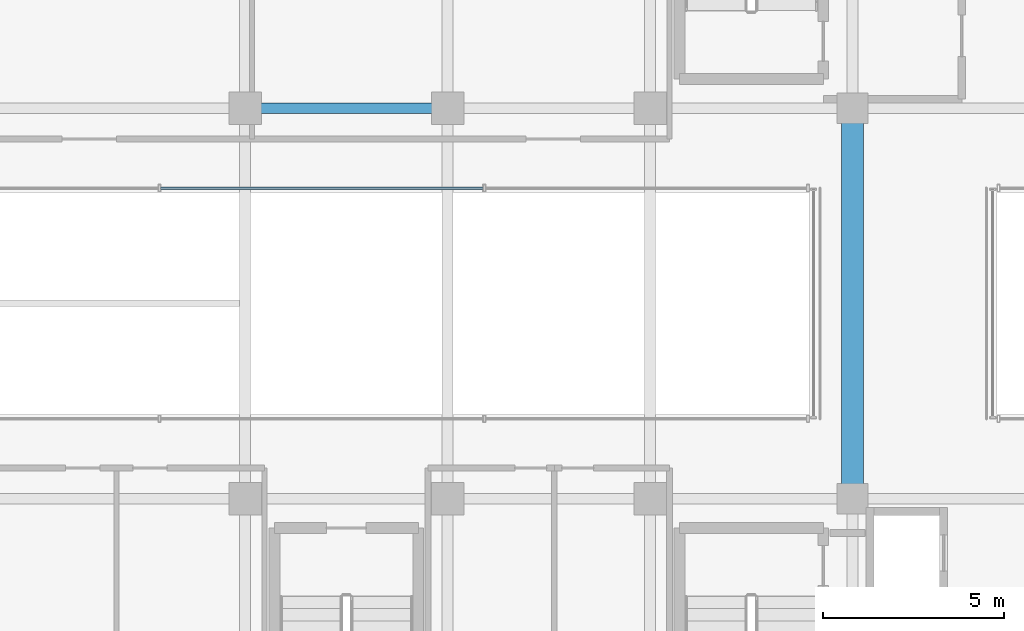
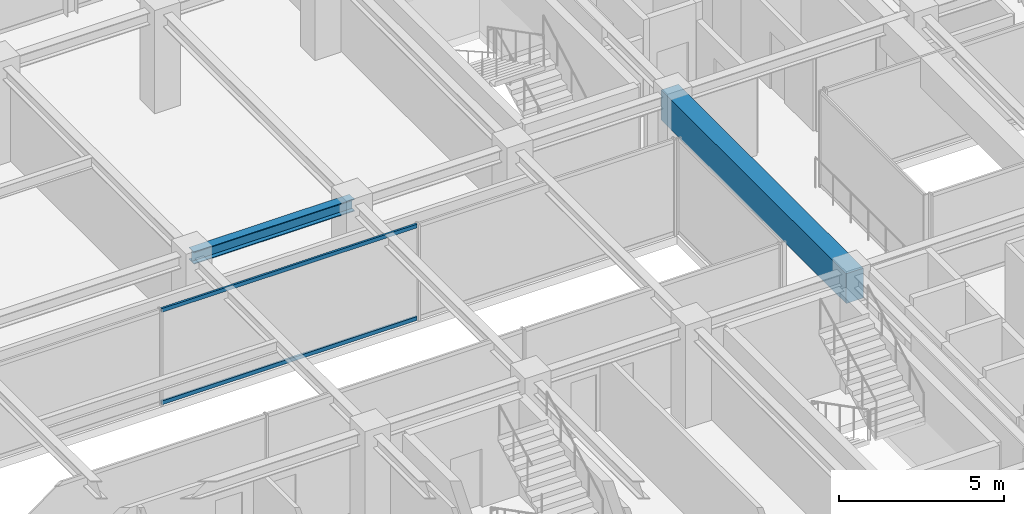
# One storey, part 15 of 39: 2 beams, 2 members, 1 element without a shape of its own.
"""IFC4 building model written with IfcOpenShell, lengths in metres."""

from ifc_helpers import new_model, si_unit, direction, frame, origin, origin_2d, place, context, subcontext, project, spatial, rectangle, hollow_rectangle, i_section, extrude, source, transform, mapped, material, material_profile, profile_set, type_object, element, aggregate, save


model = new_model("IFC4")

# Units and contexts
model_context = context("Model", 3, precision=1e-05, world=origin(), true_north=direction((0.0, 1.0)))
body_context = subcontext(model_context, "Body", "Model", "MODEL_VIEW")
ifc_project = project(units=[si_unit("LENGTHUNIT", "METRE"), si_unit("AREAUNIT", "SQUARE_METRE"), si_unit("VOLUMEUNIT", "CUBIC_METRE"), si_unit("PLANEANGLEUNIT", "RADIAN"), si_unit("MASSUNIT", "GRAM", prefix="KILO")], contexts=[model_context])

# Site, building, storey
site_placement = place(None, origin())
site = spatial("IfcSite", under=ifc_project, at=site_placement, CompositionType="ELEMENT")
building_placement = place(site_placement, origin())
building = spatial("IfcBuilding", under=site, at=building_placement, Name="Nahalor Promenade Grand Hotel", CompositionType="ELEMENT")
storey_placement = place(building_placement, frame((0.0, 0.0, 311.89990234375)))
storey = spatial("IfcBuildingStorey", under=building, at=storey_placement, Name="L80", CompositionType="ELEMENT", Elevation=311.89990234375)

# Beams
ifc_material_1 = material(Name="Concrete B-60 (C50/60)", Category="concrete")
ifc_material_profile_1 = material_profile(ifc_material_1, rectangle(XDim=0.6, YDim=1.1, at=origin_2d()), Name="RC 600x1100")
ifc_profile_set_1 = profile_set([ifc_material_profile_1], Name="Concrete B-60 (C50/60)")
beam_type_1 = type_object("IfcBeamType", Name="Beam-Lintel-RC1100", PredefinedType="LINTEL", material=ifc_profile_set_1)
shared_shape_1 = source(origin(), body_context, "Body", "SweptSolid", [
    extrude(rectangle(XDim=0.6, YDim=1.1, at=origin_2d()), origin(), (0.0, 0.0, 1.0), 11.2001953125),
])
beam_1_placement = place(storey_placement, frame((8.39990234375, -5.60009765625, 3.0), z_axis=(0.0, 1.0, 0.0), x_axis=(-1.0, 0.0, 0.0)))
element("IfcBeam", 1, at=beam_1_placement, inside=storey, type_object=beam_type_1, Name="BM-L80-LINT-W", PredefinedType="LINTEL", context=body_context, shape_type="MappedRepresentation", body=[
    mapped(shared_shape_1, transform((0.0, 0.0, 0.0), scale=1.0)),
])
ifc_material_2 = material(Name="Steel S355JR", Category="steel")
ifc_material_profile_2 = material_profile(ifc_material_2, i_section(OverallWidth=0.3, OverallDepth=0.45, WebThickness=0.014, FlangeThickness=0.026, at=origin_2d()), Name="HEB 450")
ifc_profile_set_2 = profile_set([ifc_material_profile_2], Name="Steel S355JR")
beam_type_2 = type_object("IfcBeamType", Name="Beam-Girder-HEB450", PredefinedType="BEAM", material=ifc_profile_set_2)
shared_shape_2 = source(origin(), body_context, "Body", "SweptSolid", [
    extrude(i_section(OverallWidth=0.3, OverallDepth=0.45, WebThickness=0.014, FlangeThickness=0.026, at=origin_2d()), origin(), (0.0, 0.0, 1.0), 5.599853515625),
])
beam_2_placement = place(storey_placement, frame((-8.39990234375, 5.39990234375, 3.3251953125), z_axis=(1.0, 0.0, 0.0), x_axis=(0.0, 1.0, 0.0)))
element("IfcBeam", 2, at=beam_2_placement, inside=storey, type_object=beam_type_2, Name="BM-L80-GX-2-2", PredefinedType="BEAM", context=body_context, shape_type="MappedRepresentation", body=[
    mapped(shared_shape_2, transform((0.0, 0.0, 0.0), scale=1.0)),
])

# Curtain wall, members
ifc_material_3 = material(Name="Anodised Bronze Aluminium EN AW-6063 T6", Category="aluminium")
curtain_wall_type = type_object("IfcCurtainWallType", Name="CW3 Elliptical-Void Collar Unitised Curtain Wall", PredefinedType="USERDEFINED", material=ifc_material_3)
curtain_wall_placement = place(storey_placement, origin())
curtain_wall = element("IfcCurtainWall", 3, at=curtain_wall_placement, inside=storey, type_object=curtain_wall_type, Name="L80 Curtain Wall CW-L80-VOID-WN1", ObjectType="UNITISED_CURTAIN_WALL", PredefinedType="USERDEFINED")
ifc_material_profile_3 = material_profile(ifc_material_3, hollow_rectangle(XDim=0.07, YDim=0.14, WallThickness=0.004, at=origin_2d()), Name="CWT 70x140x4")
ifc_profile_set_3 = profile_set([ifc_material_profile_3], Name="Anodised Bronze Aluminium EN AW-6063 T6")
member_type = type_object("IfcMemberType", Name="CWT3 Void Collar Transom 70x140", PredefinedType="USERDEFINED", material=ifc_profile_set_3)
shared_shape_3 = source(origin(), body_context, "Body", "SweptSolid", [
    extrude(hollow_rectangle(XDim=0.07, YDim=0.14, WallThickness=0.004, at=origin_2d()), origin(), (0.0, 0.0, 1.0), 8.91650390625),
])
member_1_placement = place(storey_placement, frame((-10.73828125, 3.19091796875, 0.070068359375), z_axis=(1.0, 0.0, 0.0), x_axis=(0.0, 1.0, 0.0)))
member_1 = element("IfcMember", 4, at=member_1_placement, type_object=member_type, Name="CW-L80-VOID-WN1 Transom 1-0", ObjectType="TRANSOM", PredefinedType="USERDEFINED", context=body_context, shape_type="MappedRepresentation", body=[
    mapped(shared_shape_3, transform((0.0, 0.0, 0.0), scale=1.0)),
])
member_2_placement = place(storey_placement, frame((-10.73828125, 3.19091796875, 3.47998046875), z_axis=(1.0, 0.0, 0.0), x_axis=(0.0, 1.0, 0.0)))
member_2 = element("IfcMember", 5, at=member_2_placement, type_object=member_type, Name="CW-L80-VOID-WN1 Transom 1-1", ObjectType="TRANSOM", PredefinedType="USERDEFINED", context=body_context, shape_type="MappedRepresentation", body=[
    mapped(shared_shape_3, transform((0.0, 0.0, 0.0), scale=1.0)),
])
aggregate(curtain_wall, [member_1, member_2])

save(model, "model.ifc")
